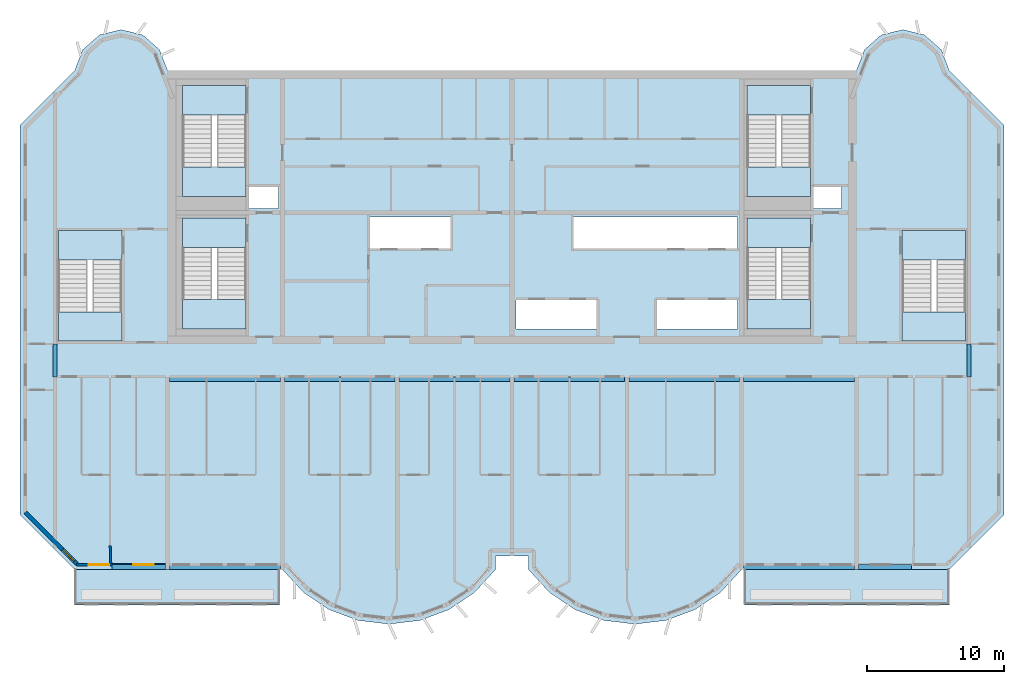
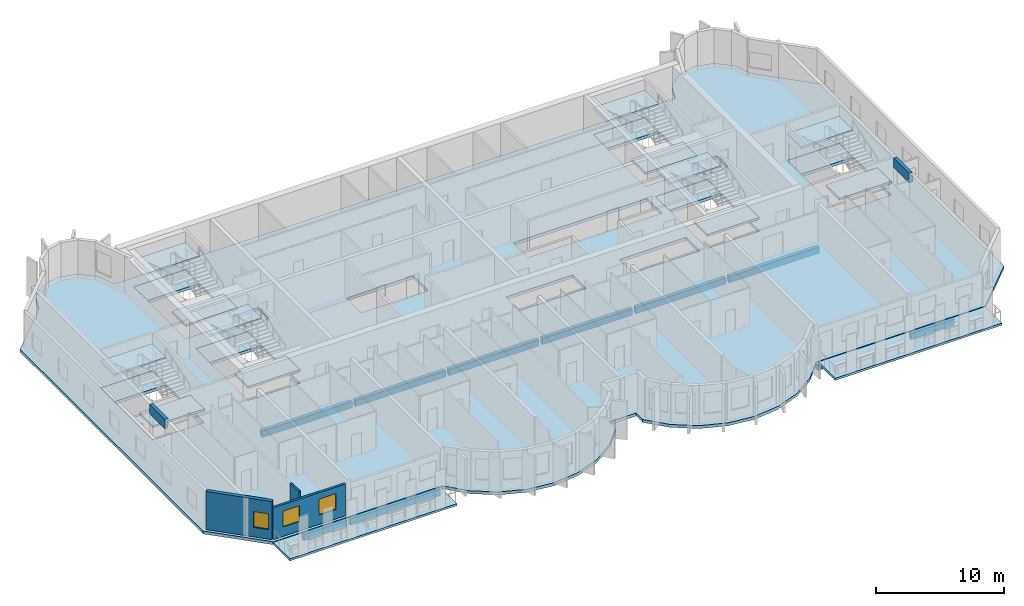
# One storey, part 1 of 11: 21 slabs, 12 beams, 3 walls, 3 windows, 3 openings, 6 elements without a shape of their own.
"""IFC4 building model written with IfcOpenShell, lengths in metres."""

from ifc_helpers import new_model, si_unit, direction, frame, frame_2d, origin, origin_2d, place, context, subcontext, project, spatial, polyline, rectangle, outline, extrude, source, transform, mapped, material, layer, layer_set, material_profile, profile_set, type_object, element, fill, aggregate, save


model = new_model("IFC4")

# Units and contexts
model_context = context("Model", 3, precision=1e-05, world=origin(), true_north=direction((0.0, 1.0)))
body_context = subcontext(model_context, "Body", "Model", "MODEL_VIEW")
ifc_project = project(units=[si_unit("LENGTHUNIT", "METRE"), si_unit("AREAUNIT", "SQUARE_METRE"), si_unit("VOLUMEUNIT", "CUBIC_METRE"), si_unit("PLANEANGLEUNIT", "RADIAN"), si_unit("MASSUNIT", "GRAM", prefix="KILO")], contexts=[model_context])

# Site, building, storey
site_placement = place(None, origin())
site = spatial("IfcSite", under=ifc_project, at=site_placement, CompositionType="ELEMENT")
building_placement = place(site_placement, origin())
building = spatial("IfcBuilding", under=site, at=building_placement, Name="Vanashikhar Sky Hotel", CompositionType="ELEMENT")
storey_placement = place(building_placement, frame((0.0, 0.0, 233.5)))
storey = spatial("IfcBuildingStorey", under=building, at=storey_placement, Name="L56", CompositionType="ELEMENT", Elevation=233.5)

# Beams
ifc_material_1 = material(Name="Concrete M50", Category="concrete")
ifc_material_profile_1 = material_profile(ifc_material_1, rectangle(XDim=0.300048828125, YDim=0.89990234375, at=origin_2d()))
ifc_profile_set_1 = profile_set([ifc_material_profile_1], Name="RC 300x900 beam Concrete M50")
beam_type_1 = type_object("IfcBeamType", Name="RC 300x900 beam Concrete M50", PredefinedType="LINTEL", material=ifc_profile_set_1)
shared_shape_1 = source(origin(), body_context, "Body", "SweptSolid", [
    extrude(rectangle(XDim=0.300048828125, YDim=0.89990234375, at=origin_2d()), origin(), (0.0, 0.0, 1.0), 2.39990234375),
])
for number, where, z_axis, x_axis, name in (
    (1, (16.949951171875, 19.60009765625, 3.169921875), (0.0, 1.0, 0.0), (-1.0, 0.0, 0.0), "LB-L56-XW03"),
    (2, (83.85009765625, 19.60009765625, 3.169921875), (0.0, 1.0, 0.0), (-1.0, 0.0, 0.0), "LB-L56-XW11"),
):
    element("IfcBeam", number, at=place(storey_placement, frame(where, z_axis=z_axis, x_axis=x_axis)), inside=storey, type_object=beam_type_1, Name=name, PredefinedType="LINTEL", context=body_context, shape_type="MappedRepresentation", body=[
        mapped(shared_shape_1, transform((0.0, 0.0, 0.0), scale=1.0)),
    ])
ifc_material_profile_2 = material_profile(ifc_material_1, rectangle(XDim=0.35009765625, YDim=0.60009765625, at=origin_2d()))
ifc_profile_set_2 = profile_set([ifc_material_profile_2], Name="RC 350x600 beam Concrete M50")
beam_type_2 = type_object("IfcBeamType", Name="RC 350x600 beam Concrete M50", PredefinedType="SPANDREL", material=ifc_profile_set_2)
shared_shape_2 = source(origin(), body_context, "Body", "SweptSolid", [
    extrude(rectangle(XDim=0.35009765625, YDim=0.60009765625, at=origin_2d()), origin(), (0.0, 0.0, 1.0), 8.099853515625),
])
for number, where, z_axis, x_axis, name in (
    (3, (25.35009765625, 5.675048828125, -0.580078125), (1.0, 0.0, 0.0), (0.0, 1.0, 0.0), "EB-L56-F01"),
    (4, (67.35009765625, 5.675048828125, -0.580078125), (1.0, 0.0, 0.0), (0.0, 1.0, 0.0), "EB-L56-F03"),
    (5, (25.35009765625, 19.425048828125, -0.580078125), (1.0, 0.0, 0.0), (0.0, 1.0, 0.0), "CB-L56-01"),
    (6, (50.550048828125, 19.425048828125, -0.580078125), (1.0, 0.0, 0.0), (0.0, 1.0, 0.0), "CB-L56-04"),
    (7, (67.35009765625, 19.425048828125, -0.580078125), (1.0, 0.0, 0.0), (0.0, 1.0, 0.0), "CB-L56-06"),
):
    element("IfcBeam", number, at=place(storey_placement, frame(where, z_axis=z_axis, x_axis=x_axis)), inside=storey, type_object=beam_type_2, Name=name, PredefinedType="SPANDREL", context=body_context, shape_type="MappedRepresentation", body=[
        mapped(shared_shape_2, transform((0.0, 0.0, 0.0), scale=1.0)),
    ])
ifc_material_profile_3 = material_profile(ifc_material_1, rectangle(XDim=0.35009765625, YDim=0.60009765625, at=origin_2d()))
ifc_profile_set_3 = profile_set([ifc_material_profile_3], Name="RC 350x600 cantilever beam Concrete M50")
beam_type_3 = type_object("IfcBeamType", Name="RC 350x600 cantilever beam Concrete M50", PredefinedType="SPANDREL", material=ifc_profile_set_3)
shared_shape_3 = source(origin(), body_context, "Body", "SweptSolid", [
    extrude(rectangle(XDim=0.35009765625, YDim=0.60009765625, at=origin_2d()), origin(), (0.0, 0.0, 1.0), 3.900146484375),
])
beam_1_placement = place(storey_placement, frame((21.14990234375, 5.675048828125, -0.580078125), z_axis=(1.0, 0.0, 0.0), x_axis=(0.0, 1.0, 0.0)))
element("IfcBeam", 8, at=beam_1_placement, inside=storey, type_object=beam_type_3, Name="EB-L56-F02", PredefinedType="SPANDREL", context=body_context, shape_type="MappedRepresentation", body=[
    mapped(shared_shape_3, transform((0.0, 0.0, 0.0), scale=1.0)),
])
shared_shape_4 = source(origin(), body_context, "Body", "SweptSolid", [
    extrude(rectangle(XDim=0.35009765625, YDim=0.60009765625, at=origin_2d()), origin(), (0.0, 0.0, 1.0), 3.89990234375),
])
beam_2_placement = place(storey_placement, frame((75.75, 5.675048828125, -0.580078125), z_axis=(1.0, 0.0, 0.0), x_axis=(0.0, 1.0, 0.0)))
element("IfcBeam", 9, at=beam_2_placement, inside=storey, type_object=beam_type_3, Name="EB-L56-F04", PredefinedType="SPANDREL", context=body_context, shape_type="MappedRepresentation", body=[
    mapped(shared_shape_4, transform((0.0, 0.0, 0.0), scale=1.0)),
])
shared_shape_5 = source(origin(), body_context, "Body", "SweptSolid", [
    extrude(rectangle(XDim=0.35009765625, YDim=0.60009765625, at=origin_2d()), origin(), (0.0, 0.0, 1.0), 8.10009765625),
])
for number, where, z_axis, x_axis, name in (
    (10, (33.75, 19.425048828125, -0.580078125), (1.0, 0.0, 0.0), (0.0, 1.0, 0.0), "CB-L56-02"),
    (11, (42.14990234375, 19.425048828125, -0.580078125), (1.0, 0.0, 0.0), (0.0, 1.0, 0.0), "CB-L56-03"),
    (12, (58.949951171875, 19.425048828125, -0.580078125), (1.0, 0.0, 0.0), (0.0, 1.0, 0.0), "CB-L56-05"),
):
    element("IfcBeam", number, at=place(storey_placement, frame(where, z_axis=z_axis, x_axis=x_axis)), inside=storey, type_object=beam_type_2, Name=name, PredefinedType="SPANDREL", context=body_context, shape_type="MappedRepresentation", body=[
        mapped(shared_shape_5, transform((0.0, 0.0, 0.0), scale=1.0)),
    ])

# Slabs
ifc_material_2 = material(Name="Concrete M40", Category="concrete")
ifc_layer_1 = layer(ifc_material_2, 0.280029296875)
ifc_layer_set_1 = layer_set([ifc_layer_1], Name="Floor slab 280 mm")
slab_type_1 = type_object("IfcSlabType", Name="Floor slab 280 mm", PredefinedType="FLOOR", material=ifc_layer_set_1)
shared_shape_6 = source(origin(), body_context, "Body", "SweptSolid", [
    extrude(outline(polyline([(49.199951171875, 5.5), (49.199951171875, 6.5), (51.60009765625, 6.5), (51.60009765625, 5.5), (53.133056640625, 3.825927734375), (55.01708984375, 2.55810546875), (57.14599609375, 1.76806640625), (59.39990234375, 1.5), (61.654052734375, 1.76806640625), (63.782958984375, 2.55810546875), (65.6669921875, 3.825927734375), (67.199951171875, 5.5), (82.39990234375, 5.5), (86.39990234375, 9.5), (86.39990234375, 38.0), (82.39990234375, 42.0), (81.81494140625, 43.527099609375), (80.587890625, 44.610107421875), (79.0, 45.0), (77.412109375, 44.610107421875), (76.18505859375, 43.527099609375), (75.60009765625, 42.0), (25.199951171875, 42.0), (24.614990234375, 43.527099609375), (23.387939453125, 44.610107421875), (21.800048828125, 45.0), (20.2119140625, 44.610107421875), (18.985107421875, 43.527099609375), (18.39990234375, 42.0), (14.39990234375, 38.0), (14.39990234375, 9.5), (18.39990234375, 5.5), (33.60009765625, 5.5), (35.133056640625, 3.825927734375), (37.01708984375, 2.55810546875), (39.14599609375, 1.76806640625), (41.39990234375, 1.5), (43.654052734375, 1.76806640625), (45.782958984375, 2.55810546875), (47.6669921875, 3.825927734375), (49.199951171875, 5.5)]), holes=[polyline([(33.300048828125, 33.60009765625), (31.050048828125, 33.60009765625), (31.050048828125, 31.89990234375), (33.300048828125, 31.89990234375), (33.300048828125, 33.60009765625)]), polyline([(39.89990234375, 31.300048828125), (39.89990234375, 29.0), (45.89990234375, 29.0), (45.89990234375, 31.300048828125), (39.89990234375, 31.300048828125)]), polyline([(50.699951171875, 25.199951171875), (50.699951171875, 23.10009765625), (56.699951171875, 23.10009765625), (56.699951171875, 25.199951171875), (50.699951171875, 25.199951171875)]), polyline([(66.89990234375, 29.0), (66.89990234375, 31.300048828125), (54.89990234375, 31.300048828125), (54.89990234375, 29.0), (66.89990234375, 29.0)]), polyline([(60.89990234375, 25.199951171875), (60.89990234375, 23.10009765625), (66.89990234375, 23.10009765625), (66.89990234375, 25.199951171875), (60.89990234375, 25.199951171875)]), polyline([(74.5, 33.60009765625), (72.35009765625, 33.60009765625), (72.35009765625, 31.89990234375), (74.5, 31.89990234375), (74.5, 33.60009765625)]), polyline([(30.949951171875, 23.10009765625), (30.949951171875, 31.199951171875), (26.300048828125, 31.199951171875), (26.300048828125, 23.10009765625), (30.949951171875, 23.10009765625)]), polyline([(72.25, 23.10009765625), (72.25, 31.199951171875), (67.60009765625, 31.199951171875), (67.60009765625, 23.10009765625), (72.25, 23.10009765625)]), polyline([(30.949951171875, 32.800048828125), (30.949951171875, 40.89990234375), (26.300048828125, 40.89990234375), (26.300048828125, 32.800048828125), (30.949951171875, 32.800048828125)]), polyline([(72.25, 32.800048828125), (72.25, 40.89990234375), (67.60009765625, 40.89990234375), (67.60009765625, 32.800048828125), (72.25, 32.800048828125)]), polyline([(83.60009765625, 22.199951171875), (83.60009765625, 30.300048828125), (78.949951171875, 30.300048828125), (78.949951171875, 22.199951171875), (83.60009765625, 22.199951171875)]), polyline([(21.85009765625, 22.199951171875), (21.85009765625, 30.300048828125), (17.199951171875, 30.300048828125), (17.199951171875, 22.199951171875), (21.85009765625, 22.199951171875)])]), origin(), (0.0, 0.0, 1.0), 0.280029296875),
])
slab_1_placement = place(storey_placement, frame((0.0, 0.0, -0.280029296875)))
element("IfcSlab", 13, at=slab_1_placement, inside=storey, type_object=slab_type_1, Name="Floor slab L56", PredefinedType="FLOOR", context=body_context, shape_type="MappedRepresentation", body=[
    mapped(shared_shape_6, transform((0.0, 0.0, 0.0), scale=1.0)),
])
ifc_layer_2 = layer(ifc_material_2, 0.199951171875)
ifc_layer_set_2 = layer_set([ifc_layer_2], Name="Balcony slab 200 mm")
slab_type_2 = type_object("IfcSlabType", Name="Balcony slab 200 mm", PredefinedType="USERDEFINED", material=ifc_layer_set_2)
shared_shape_7 = source(origin(), body_context, "Body", "SweptSolid", [
    extrude(outline(polyline([(18.39990234375, 2.89990234375), (33.39990234375, 2.89990234375), (33.39990234375, 5.5), (18.39990234375, 5.5), (18.39990234375, 2.89990234375)])), origin(), (0.0, 0.0, 1.0), 0.199951171875),
])
slab_2_placement = place(storey_placement, frame((0.0, 0.0, -0.25)))
element("IfcSlab", 14, at=slab_2_placement, inside=storey, type_object=slab_type_2, Name="Balcony slab L56 1", ObjectType="BALCONY", PredefinedType="USERDEFINED", context=body_context, shape_type="MappedRepresentation", body=[
    mapped(shared_shape_7, transform((0.0, 0.0, 0.0), scale=1.0)),
])
shared_shape_8 = source(origin(), body_context, "Body", "SweptSolid", [
    extrude(outline(polyline([(67.39990234375, 2.89990234375), (82.39990234375, 2.89990234375), (82.39990234375, 5.5), (67.39990234375, 5.5), (67.39990234375, 2.89990234375)])), origin(), (0.0, 0.0, 1.0), 0.199951171875),
])
slab_3_placement = place(storey_placement, frame((0.0, 0.0, -0.25)))
element("IfcSlab", 15, at=slab_3_placement, inside=storey, type_object=slab_type_2, Name="Balcony slab L56 2", ObjectType="BALCONY", PredefinedType="USERDEFINED", context=body_context, shape_type="MappedRepresentation", body=[
    mapped(shared_shape_8, transform((0.0, 0.0, 0.0), scale=1.0)),
])

# Stair, slabs
stair_type = type_object("IfcStairType", Name="Exit stair 2150", PredefinedType="DOUBLE_RETURN_STAIR", material=ifc_material_2)
stair_1_placement = place(storey_placement, origin())
stair_1 = element("IfcStair", 16, at=stair_1_placement, inside=storey, type_object=stair_type, Name="L56 Exit stair 1", PredefinedType="DOUBLE_RETURN_STAIR")
ifc_layer_3 = layer(ifc_material_2, 0.199951171875)
ifc_layer_set_3 = layer_set([ifc_layer_3], Name="Stair landing 200")
slab_type_3 = type_object("IfcSlabType", Name="Stair landing 200", PredefinedType="LANDING", material=ifc_layer_set_3)
shared_shape_9 = source(origin(), body_context, "Body", "SweptSolid", [
    extrude(outline(polyline([(30.949951171875, 23.10009765625), (30.949951171875, 25.25), (26.300048828125, 25.25), (26.300048828125, 23.10009765625), (30.949951171875, 23.10009765625)])), origin(), (0.0, 0.0, 1.0), 0.199951171875),
])
slab_4_placement = place(storey_placement, frame((0.0, 0.0, 1.10009765625)))
slab_4 = element("IfcSlab", 17, at=slab_4_placement, type_object=slab_type_3, Name="ST-C1 landing 1", PredefinedType="LANDING", context=body_context, shape_type="MappedRepresentation", body=[
    mapped(shared_shape_9, transform((0.0, 0.0, 0.0), scale=1.0)),
])
shared_shape_10 = source(origin(), body_context, "Body", "SweptSolid", [
    extrude(outline(polyline([(30.949951171875, 29.050048828125), (30.949951171875, 31.199951171875), (26.300048828125, 31.199951171875), (26.300048828125, 29.050048828125), (30.949951171875, 29.050048828125)])), origin(), (0.0, 0.0, 1.0), 0.2001953125),
])
slab_5_placement = place(storey_placement, frame((0.0, 0.0, 2.39990234375)))
slab_5 = element("IfcSlab", 18, at=slab_5_placement, type_object=slab_type_3, Name="ST-C1 landing 2", PredefinedType="LANDING", context=body_context, shape_type="MappedRepresentation", body=[
    mapped(shared_shape_10, transform((0.0, 0.0, 0.0), scale=1.0)),
])
aggregate(stair_1, [slab_4, slab_5])

# Slab
ifc_layer_4 = layer(ifc_material_2, 0.280029296875)
ifc_layer_set_4 = layer_set([ifc_layer_4], Name="Stair floor landing 280")
slab_type_4 = type_object("IfcSlabType", Name="Stair floor landing 280", PredefinedType="LANDING", material=ifc_layer_set_4)
shared_shape_11 = source(origin(), body_context, "Body", "SweptSolid", [
    extrude(outline(polyline([(30.949951171875, 29.050048828125), (30.949951171875, 31.199951171875), (26.300048828125, 31.199951171875), (26.300048828125, 29.050048828125), (30.949951171875, 29.050048828125)])), origin(), (0.0, 0.0, 1.0), 0.280029296875),
])
slab_6_placement = place(storey_placement, frame((0.0, 0.0, -0.280029296875)))
element("IfcSlab", 19, at=slab_6_placement, inside=storey, type_object=slab_type_4, Name="Exit stair 1 floor landing", PredefinedType="LANDING", context=body_context, shape_type="MappedRepresentation", body=[
    mapped(shared_shape_11, transform((0.0, 0.0, 0.0), scale=1.0)),
])

# Stair, slabs
stair_2_placement = place(storey_placement, origin())
stair_2 = element("IfcStair", 20, at=stair_2_placement, inside=storey, type_object=stair_type, Name="L56 Exit stair 2", PredefinedType="DOUBLE_RETURN_STAIR")
shared_shape_12 = source(origin(), body_context, "Body", "SweptSolid", [
    extrude(outline(polyline([(72.25, 23.10009765625), (72.25, 25.25), (67.60009765625, 25.25), (67.60009765625, 23.10009765625), (72.25, 23.10009765625)])), origin(), (0.0, 0.0, 1.0), 0.199951171875),
])
slab_7_placement = place(storey_placement, frame((0.0, 0.0, 1.10009765625)))
slab_7 = element("IfcSlab", 21, at=slab_7_placement, type_object=slab_type_3, Name="ST-C2 landing 1", PredefinedType="LANDING", context=body_context, shape_type="MappedRepresentation", body=[
    mapped(shared_shape_12, transform((0.0, 0.0, 0.0), scale=1.0)),
])
shared_shape_13 = source(origin(), body_context, "Body", "SweptSolid", [
    extrude(outline(polyline([(72.25, 29.050048828125), (72.25, 31.199951171875), (67.60009765625, 31.199951171875), (67.60009765625, 29.050048828125), (72.25, 29.050048828125)])), origin(), (0.0, 0.0, 1.0), 0.2001953125),
])
slab_8_placement = place(storey_placement, frame((0.0, 0.0, 2.39990234375)))
slab_8 = element("IfcSlab", 22, at=slab_8_placement, type_object=slab_type_3, Name="ST-C2 landing 2", PredefinedType="LANDING", context=body_context, shape_type="MappedRepresentation", body=[
    mapped(shared_shape_13, transform((0.0, 0.0, 0.0), scale=1.0)),
])
aggregate(stair_2, [slab_7, slab_8])

# Slab
shared_shape_14 = source(origin(), body_context, "Body", "SweptSolid", [
    extrude(outline(polyline([(72.25, 29.050048828125), (72.25, 31.199951171875), (67.60009765625, 31.199951171875), (67.60009765625, 29.050048828125), (72.25, 29.050048828125)])), origin(), (0.0, 0.0, 1.0), 0.280029296875),
])
slab_9_placement = place(storey_placement, frame((0.0, 0.0, -0.280029296875)))
element("IfcSlab", 23, at=slab_9_placement, inside=storey, type_object=slab_type_4, Name="Exit stair 2 floor landing", PredefinedType="LANDING", context=body_context, shape_type="MappedRepresentation", body=[
    mapped(shared_shape_14, transform((0.0, 0.0, 0.0), scale=1.0)),
])

# Stair, slabs
stair_3_placement = place(storey_placement, origin())
stair_3 = element("IfcStair", 24, at=stair_3_placement, inside=storey, type_object=stair_type, Name="L56 Exit stair 3", PredefinedType="DOUBLE_RETURN_STAIR")
shared_shape_15 = source(origin(), body_context, "Body", "SweptSolid", [
    extrude(outline(polyline([(21.85009765625, 22.199951171875), (21.85009765625, 24.35009765625), (17.199951171875, 24.35009765625), (17.199951171875, 22.199951171875), (21.85009765625, 22.199951171875)])), origin(), (0.0, 0.0, 1.0), 0.199951171875),
])
slab_10_placement = place(storey_placement, frame((0.0, 0.0, 1.10009765625)))
slab_10 = element("IfcSlab", 25, at=slab_10_placement, type_object=slab_type_3, Name="ST-W landing 1", PredefinedType="LANDING", context=body_context, shape_type="MappedRepresentation", body=[
    mapped(shared_shape_15, transform((0.0, 0.0, 0.0), scale=1.0)),
])
shared_shape_16 = source(origin(), body_context, "Body", "SweptSolid", [
    extrude(outline(polyline([(21.85009765625, 28.14990234375), (21.85009765625, 30.300048828125), (17.199951171875, 30.300048828125), (17.199951171875, 28.14990234375), (21.85009765625, 28.14990234375)])), origin(), (0.0, 0.0, 1.0), 0.2001953125),
])
slab_11_placement = place(storey_placement, frame((0.0, 0.0, 2.39990234375)))
slab_11 = element("IfcSlab", 26, at=slab_11_placement, type_object=slab_type_3, Name="ST-W landing 2", PredefinedType="LANDING", context=body_context, shape_type="MappedRepresentation", body=[
    mapped(shared_shape_16, transform((0.0, 0.0, 0.0), scale=1.0)),
])
aggregate(stair_3, [slab_10, slab_11])

# Slab
shared_shape_17 = source(origin(), body_context, "Body", "SweptSolid", [
    extrude(outline(polyline([(21.85009765625, 28.14990234375), (21.85009765625, 30.300048828125), (17.199951171875, 30.300048828125), (17.199951171875, 28.14990234375), (21.85009765625, 28.14990234375)])), origin(), (0.0, 0.0, 1.0), 0.280029296875),
])
slab_12_placement = place(storey_placement, frame((0.0, 0.0, -0.280029296875)))
element("IfcSlab", 27, at=slab_12_placement, inside=storey, type_object=slab_type_4, Name="Exit stair 3 floor landing", PredefinedType="LANDING", context=body_context, shape_type="MappedRepresentation", body=[
    mapped(shared_shape_17, transform((0.0, 0.0, 0.0), scale=1.0)),
])

# Stair, slabs
stair_4_placement = place(storey_placement, origin())
stair_4 = element("IfcStair", 28, at=stair_4_placement, inside=storey, type_object=stair_type, Name="L56 Exit stair 4", PredefinedType="DOUBLE_RETURN_STAIR")
shared_shape_18 = source(origin(), body_context, "Body", "SweptSolid", [
    extrude(outline(polyline([(83.60009765625, 22.199951171875), (83.60009765625, 24.35009765625), (78.949951171875, 24.35009765625), (78.949951171875, 22.199951171875), (83.60009765625, 22.199951171875)])), origin(), (0.0, 0.0, 1.0), 0.199951171875),
])
slab_13_placement = place(storey_placement, frame((0.0, 0.0, 1.10009765625)))
slab_13 = element("IfcSlab", 29, at=slab_13_placement, type_object=slab_type_3, Name="ST-E landing 1", PredefinedType="LANDING", context=body_context, shape_type="MappedRepresentation", body=[
    mapped(shared_shape_18, transform((0.0, 0.0, 0.0), scale=1.0)),
])
shared_shape_19 = source(origin(), body_context, "Body", "SweptSolid", [
    extrude(outline(polyline([(83.60009765625, 28.14990234375), (83.60009765625, 30.300048828125), (78.949951171875, 30.300048828125), (78.949951171875, 28.14990234375), (83.60009765625, 28.14990234375)])), origin(), (0.0, 0.0, 1.0), 0.2001953125),
])
slab_14_placement = place(storey_placement, frame((0.0, 0.0, 2.39990234375)))
slab_14 = element("IfcSlab", 30, at=slab_14_placement, type_object=slab_type_3, Name="ST-E landing 2", PredefinedType="LANDING", context=body_context, shape_type="MappedRepresentation", body=[
    mapped(shared_shape_19, transform((0.0, 0.0, 0.0), scale=1.0)),
])
aggregate(stair_4, [slab_13, slab_14])

# Slab
shared_shape_20 = source(origin(), body_context, "Body", "SweptSolid", [
    extrude(outline(polyline([(83.60009765625, 28.14990234375), (83.60009765625, 30.300048828125), (78.949951171875, 30.300048828125), (78.949951171875, 28.14990234375), (83.60009765625, 28.14990234375)])), origin(), (0.0, 0.0, 1.0), 0.280029296875),
])
slab_15_placement = place(storey_placement, frame((0.0, 0.0, -0.280029296875)))
element("IfcSlab", 31, at=slab_15_placement, inside=storey, type_object=slab_type_4, Name="Exit stair 4 floor landing", PredefinedType="LANDING", context=body_context, shape_type="MappedRepresentation", body=[
    mapped(shared_shape_20, transform((0.0, 0.0, 0.0), scale=1.0)),
])

# Stair, slabs
stair_5_placement = place(storey_placement, origin())
stair_5 = element("IfcStair", 32, at=stair_5_placement, inside=storey, type_object=stair_type, Name="L56 Exit stair 5", PredefinedType="DOUBLE_RETURN_STAIR")
shared_shape_21 = source(origin(), body_context, "Body", "SweptSolid", [
    extrude(outline(polyline([(30.949951171875, 32.800048828125), (30.949951171875, 34.949951171875), (26.300048828125, 34.949951171875), (26.300048828125, 32.800048828125), (30.949951171875, 32.800048828125)])), origin(), (0.0, 0.0, 1.0), 0.199951171875),
])
slab_16_placement = place(storey_placement, frame((0.0, 0.0, 1.10009765625)))
slab_16 = element("IfcSlab", 33, at=slab_16_placement, type_object=slab_type_3, Name="ST-C3 landing 1", PredefinedType="LANDING", context=body_context, shape_type="MappedRepresentation", body=[
    mapped(shared_shape_21, transform((0.0, 0.0, 0.0), scale=1.0)),
])
shared_shape_22 = source(origin(), body_context, "Body", "SweptSolid", [
    extrude(outline(polyline([(30.949951171875, 38.75), (30.949951171875, 40.89990234375), (26.300048828125, 40.89990234375), (26.300048828125, 38.75), (30.949951171875, 38.75)])), origin(), (0.0, 0.0, 1.0), 0.2001953125),
])
slab_17_placement = place(storey_placement, frame((0.0, 0.0, 2.39990234375)))
slab_17 = element("IfcSlab", 34, at=slab_17_placement, type_object=slab_type_3, Name="ST-C3 landing 2", PredefinedType="LANDING", context=body_context, shape_type="MappedRepresentation", body=[
    mapped(shared_shape_22, transform((0.0, 0.0, 0.0), scale=1.0)),
])
aggregate(stair_5, [slab_16, slab_17])

# Slab
shared_shape_23 = source(origin(), body_context, "Body", "SweptSolid", [
    extrude(outline(polyline([(30.949951171875, 38.75), (30.949951171875, 40.89990234375), (26.300048828125, 40.89990234375), (26.300048828125, 38.75), (30.949951171875, 38.75)])), origin(), (0.0, 0.0, 1.0), 0.280029296875),
])
slab_18_placement = place(storey_placement, frame((0.0, 0.0, -0.280029296875)))
element("IfcSlab", 35, at=slab_18_placement, inside=storey, type_object=slab_type_4, Name="Exit stair 5 floor landing", PredefinedType="LANDING", context=body_context, shape_type="MappedRepresentation", body=[
    mapped(shared_shape_23, transform((0.0, 0.0, 0.0), scale=1.0)),
])

# Stair, slabs
stair_6_placement = place(storey_placement, origin())
stair_6 = element("IfcStair", 36, at=stair_6_placement, inside=storey, type_object=stair_type, Name="L56 Exit stair 6", PredefinedType="DOUBLE_RETURN_STAIR")
shared_shape_24 = source(origin(), body_context, "Body", "SweptSolid", [
    extrude(outline(polyline([(72.25, 32.800048828125), (72.25, 34.949951171875), (67.60009765625, 34.949951171875), (67.60009765625, 32.800048828125), (72.25, 32.800048828125)])), origin(), (0.0, 0.0, 1.0), 0.199951171875),
])
slab_19_placement = place(storey_placement, frame((0.0, 0.0, 1.10009765625)))
slab_19 = element("IfcSlab", 37, at=slab_19_placement, type_object=slab_type_3, Name="ST-C4 landing 1", PredefinedType="LANDING", context=body_context, shape_type="MappedRepresentation", body=[
    mapped(shared_shape_24, transform((0.0, 0.0, 0.0), scale=1.0)),
])
shared_shape_25 = source(origin(), body_context, "Body", "SweptSolid", [
    extrude(outline(polyline([(72.25, 38.75), (72.25, 40.89990234375), (67.60009765625, 40.89990234375), (67.60009765625, 38.75), (72.25, 38.75)])), origin(), (0.0, 0.0, 1.0), 0.2001953125),
])
slab_20_placement = place(storey_placement, frame((0.0, 0.0, 2.39990234375)))
slab_20 = element("IfcSlab", 38, at=slab_20_placement, type_object=slab_type_3, Name="ST-C4 landing 2", PredefinedType="LANDING", context=body_context, shape_type="MappedRepresentation", body=[
    mapped(shared_shape_25, transform((0.0, 0.0, 0.0), scale=1.0)),
])
aggregate(stair_6, [slab_19, slab_20])

# Slab
shared_shape_26 = source(origin(), body_context, "Body", "SweptSolid", [
    extrude(outline(polyline([(72.25, 38.75), (72.25, 40.89990234375), (67.60009765625, 40.89990234375), (67.60009765625, 38.75), (72.25, 38.75)])), origin(), (0.0, 0.0, 1.0), 0.280029296875),
])
slab_21_placement = place(storey_placement, frame((0.0, 0.0, -0.280029296875)))
element("IfcSlab", 39, at=slab_21_placement, inside=storey, type_object=slab_type_4, Name="Exit stair 6 floor landing", PredefinedType="LANDING", context=body_context, shape_type="MappedRepresentation", body=[
    mapped(shared_shape_26, transform((0.0, 0.0, 0.0), scale=1.0)),
])

# Wall, openings, windows
ifc_layer_5 = layer(ifc_material_1, 0.199951171875)
ifc_layer_set_5 = layer_set([ifc_layer_5], Name="Front window wall 200")
wall_type_1 = type_object("IfcWallType", Name="Front window wall 200", PredefinedType="SOLIDWALL", material=ifc_layer_set_5)
shared_shape_27 = source(origin(), body_context, "Body", "SweptSolid", [
    extrude(rectangle(XDim=6.505126953125, YDim=0.199951171875, at=frame_2d((3.25244140625, 0.0))), origin(), (0.0, 0.0, 1.0), 3.02001953125),
])
wall_1_placement = place(storey_placement, frame((18.544921875, 5.85009765625, 0.0), z_axis=(0.0, 0.0, 1.0), x_axis=(1.0, 0.0, 0.0)))
wall_1 = element("IfcWall", 40, at=wall_1_placement, inside=storey, type_object=wall_type_1, Name="Front window wall", PredefinedType="SOLIDWALL", context=body_context, shape_type="MappedRepresentation", body=[
    mapped(shared_shape_27, transform((0.0, 0.0, 0.0), scale=1.0)),
])
shared_shape_28 = source(origin(), body_context, "Body", "SweptSolid", [
    extrude(rectangle(XDim=1.5, YDim=1.5, at=frame_2d((0.75, 0.75))), frame((0.0, 0.10986328125, 0.0), z_axis=(0.0, -1.0, 0.0), x_axis=(1.0, 0.0, 0.0)), (0.0, 0.0, 1.0), 0.219970703125),
])
opening_1_placement = place(wall_1_placement, frame((0.876220703125, 0.0, 0.89990234375)))
opening_1 = element("IfcOpeningElement", 41, at=opening_1_placement, cuts=wall_1, Name="Opening WN-1", PredefinedType="OPENING", context=body_context, shape_type="MappedRepresentation", body=[
    mapped(shared_shape_28, transform((0.0, 0.0, 0.0), scale=1.0)),
])
opening_2_placement = place(wall_1_placement, frame((4.128662109375, 0.0, 0.89990234375)))
opening_2 = element("IfcOpeningElement", 42, at=opening_2_placement, cuts=wall_1, Name="Opening WN-1", PredefinedType="OPENING", context=body_context, shape_type="MappedRepresentation", body=[
    mapped(shared_shape_28, transform((0.0, 0.0, 0.0), scale=1.0)),
])
ifc_material_3 = material(Name="Glass", Category="glass")
window_type_1 = type_object("IfcWindowType", Name="Window 1500 x 1500", PartitioningType="SINGLE_PANEL", PredefinedType="WINDOW", material=ifc_material_3)
shared_shape_29 = source(origin(), body_context, "Body", "SweptSolid", [
    extrude(rectangle(XDim=1.5, YDim=1.5, at=frame_2d((0.75, 0.75))), frame((0.0, 0.030029296875, 0.0), z_axis=(0.0, -1.0, 0.0), x_axis=(1.0, 0.0, 0.0)), (0.0, 0.0, 1.0), 0.06005859375),
])
window_1_placement = place(opening_1_placement, origin())
window_1 = element("IfcWindow", 43, at=window_1_placement, inside=storey, type_object=window_type_1, Name="Window WN-1", OverallHeight=1.5, OverallWidth=1.5, PartitioningType="SINGLE_PANEL", PredefinedType="WINDOW", context=body_context, shape_type="MappedRepresentation", body=[
    mapped(shared_shape_29, transform((0.0, 0.0, 0.0), scale=1.0)),
])
fill(opening_1, window_1)
window_2_placement = place(opening_2_placement, origin())
window_2 = element("IfcWindow", 44, at=window_2_placement, inside=storey, type_object=window_type_1, Name="Window WN-1", OverallHeight=1.5, OverallWidth=1.5, PartitioningType="SINGLE_PANEL", PredefinedType="WINDOW", context=body_context, shape_type="MappedRepresentation", body=[
    mapped(shared_shape_29, transform((0.0, 0.0, 0.0), scale=1.0)),
])
fill(opening_2, window_2)

# Wall, opening, window
ifc_layer_6 = layer(ifc_material_1, 0.300048828125)
ifc_layer_set_6 = layer_set([ifc_layer_6], Name="Lobe wall 300")
wall_type_2 = type_object("IfcWallType", Name="Lobe wall 300", PredefinedType="SOLIDWALL", material=ifc_layer_set_6)
shared_shape_30 = source(origin(), body_context, "Body", "SweptSolid", [
    extrude(rectangle(XDim=5.32568359375, YDim=0.300048828125, at=frame_2d((2.662841796875, 0.0))), origin(), (0.0, 0.0, 1.0), 3.6201171875),
])
wall_2_placement = place(storey_placement, frame((14.800048828125, 9.665771484375, 0.0), z_axis=(0.0, 0.0, 1.0), x_axis=(0.707083859269, -0.707129702361, 0.0)))
wall_2 = element("IfcWall", 45, at=wall_2_placement, inside=storey, type_object=wall_type_2, Name="Corner wall", PredefinedType="SOLIDWALL", context=body_context, shape_type="MappedRepresentation", body=[
    mapped(shared_shape_30, transform((0.0, 0.0, 0.0), scale=1.0)),
])
shared_shape_31 = source(origin(), body_context, "Body", "SweptSolid", [
    extrude(rectangle(XDim=1.199951171875, YDim=1.5, at=frame_2d((0.60009765625, 0.75))), frame((0.0, 0.16015625, 0.0), z_axis=(0.0, -1.0, 0.0), x_axis=(1.0, 0.0, 0.0)), (0.0, 0.0, 1.0), 0.320068359375),
])
opening_3_placement = place(wall_2_placement, frame((3.8330078125, 0.0, 0.89990234375)))
opening_3 = element("IfcOpeningElement", 46, at=opening_3_placement, cuts=wall_2, Name="Opening WN-3", PredefinedType="OPENING", context=body_context, shape_type="MappedRepresentation", body=[
    mapped(shared_shape_31, transform((0.0, 0.0, 0.0), scale=1.0)),
])
window_type_2 = type_object("IfcWindowType", Name="Corridor end window 1200 x 1500", PartitioningType="SINGLE_PANEL", PredefinedType="WINDOW", material=ifc_material_3)
shared_shape_32 = source(origin(), body_context, "Body", "SweptSolid", [
    extrude(rectangle(XDim=1.199951171875, YDim=1.5, at=frame_2d((0.60009765625, 0.75))), frame((0.0, 0.030029296875, 0.0), z_axis=(0.0, -1.0, 0.0), x_axis=(1.0, 0.0, 0.0)), (0.0, 0.0, 1.0), 0.06005859375),
])
window_3_placement = place(opening_3_placement, origin())
window_3 = element("IfcWindow", 47, at=window_3_placement, inside=storey, type_object=window_type_2, Name="Window WN-3", OverallHeight=1.5, OverallWidth=1.199951171875, PartitioningType="SINGLE_PANEL", PredefinedType="WINDOW", context=body_context, shape_type="MappedRepresentation", body=[
    mapped(shared_shape_32, transform((0.0, 0.0, 0.0), scale=1.0)),
])
fill(opening_3, window_3)

# Wall
ifc_material_4 = material(Name="Gypsum plasterboard partition")
ifc_layer_7 = layer(ifc_material_4, 0.14990234375)
ifc_layer_set_7 = layer_set([ifc_layer_7], Name="Corridor and demising partition 150")
wall_type_3 = type_object("IfcWallType", Name="Corridor and demising partition 150", PredefinedType="PARTITIONING", material=ifc_layer_set_7)
shared_shape_33 = source(origin(), body_context, "Body", "SweptSolid", [
    extrude(rectangle(XDim=1.30078125, YDim=0.14990234375, at=frame_2d((0.650390625, 0.0))), origin(), (0.0, 0.0, 1.0), 3.6201171875),
])
wall_3_placement = place(storey_placement, frame((21.041015625, 5.949951171875, 0.0), z_axis=(0.0, 0.0, 1.0), x_axis=(-0.031533606063, 0.999502692187, 0.0)))
element("IfcWall", 48, at=wall_3_placement, inside=storey, type_object=wall_type_3, Name="W-L56-PW007B0", PredefinedType="PARTITIONING", context=body_context, shape_type="MappedRepresentation", body=[
    mapped(shared_shape_33, transform((0.0, 0.0, 0.0), scale=1.0)),
])

save(model, "model.ifc")
